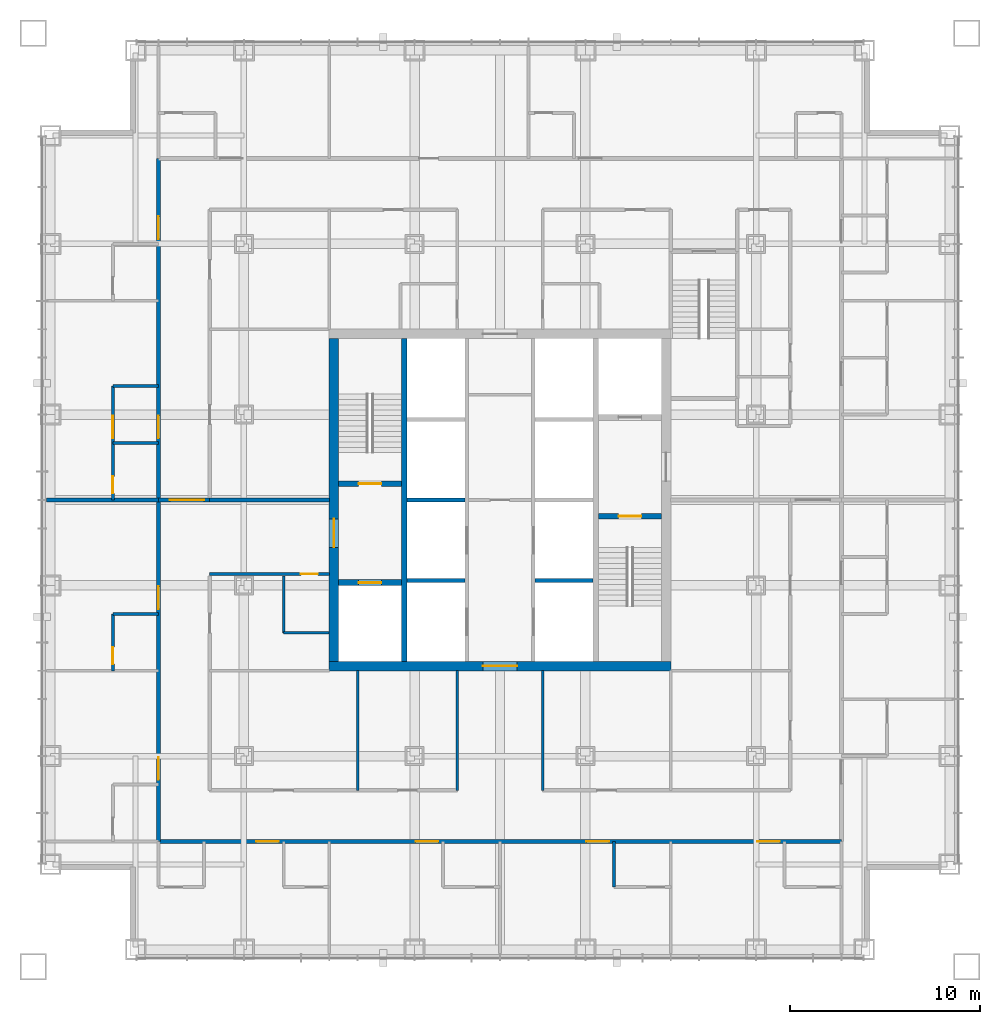
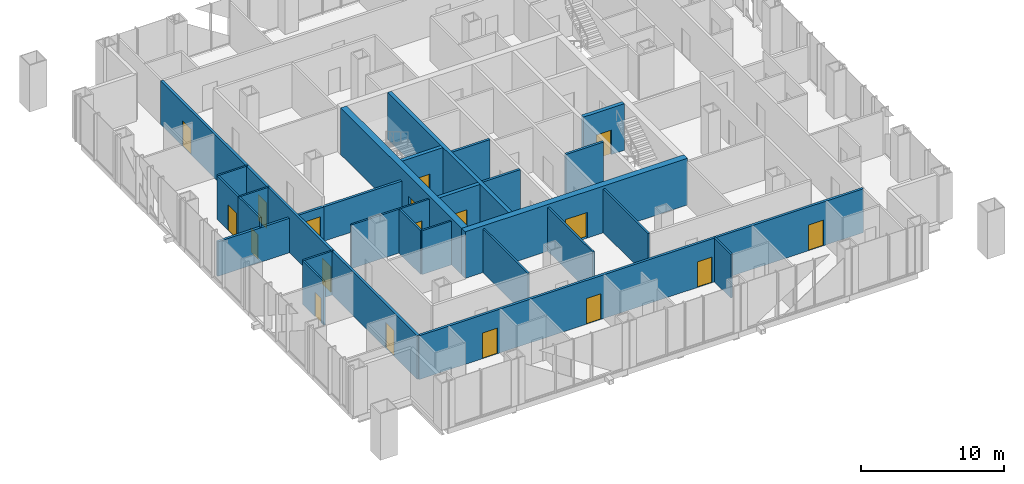
# One storey, part 9 of 13: 27 walls, 18 doors, 18 openings.
"""IFC4 building model written with IfcOpenShell, lengths in metres."""

from ifc_helpers import new_model, si_unit, direction, frame, frame_2d, origin, place, context, subcontext, project, spatial, rectangle, extrude, material, layer, layer_set, type_object, element, fill, save


model = new_model("IFC4")

# Units and contexts
model_context = context("Model", 3, precision=1e-05, world=origin(), true_north=direction((0.0, 1.0)))
body_context = subcontext(model_context, "Body", "Model", "MODEL_VIEW")
ifc_project = project(units=[si_unit("LENGTHUNIT", "METRE"), si_unit("AREAUNIT", "SQUARE_METRE"), si_unit("VOLUMEUNIT", "CUBIC_METRE"), si_unit("PLANEANGLEUNIT", "RADIAN"), si_unit("MASSUNIT", "GRAM", prefix="KILO")], contexts=[model_context])

# Site, building, storey
site_placement = place(None, origin())
site = spatial("IfcSite", under=ifc_project, at=site_placement, CompositionType="ELEMENT")
building_placement = place(site_placement, origin())
building = spatial("IfcBuilding", under=site, at=building_placement, Name="Malebo Sky Hospital", CompositionType="ELEMENT")
storey_placement = place(building_placement, frame((0.0, 0.0, 160.0)))
storey = spatial("IfcBuildingStorey", under=building, at=storey_placement, Name="L38", CompositionType="ELEMENT", Elevation=160.0)

# Walls
ifc_material_1 = material(Name="Concrete C80/95", Category="concrete")
ifc_layer_1 = layer(ifc_material_1, 0.199951171875)
ifc_layer_set_1 = layer_set([ifc_layer_1], Name="CORE INNER WALL 200")
wall_type_1 = type_object("IfcWallType", Name="CORE INNER WALL 200", PredefinedType="SHEAR", material=ifc_layer_set_1)
for number, where, z_axis, x_axis, name in (
    (1, (55.10009765625, 57.75, 0.0), (0.0, 0.0, 1.0), (1.0, 0.0, 0.0), "Core wall SW0 L38"),
    (2, (61.85009765625, 57.75, 0.0), (0.0, 0.0, 1.0), (1.0, 0.0, 0.0), "Core wall SE0 L38"),
    (3, (55.10009765625, 62.0, 0.0), (0.0, 0.0, 1.0), (1.0, 0.0, 0.0), "Core wall SW1 L38"),
):
    element("IfcWall", number, at=place(storey_placement, frame(where, z_axis=z_axis, x_axis=x_axis)), inside=storey, type_object=wall_type_1, Name=name, PredefinedType="SHEAR", context=body_context, shape_type="SweptSolid", body=[
        extrude(rectangle(XDim=3.0498046875, YDim=0.199951171875, at=frame_2d((1.52490234375, 0.0))), origin(), (0.0, 0.0, 1.0), 4.0),
    ])
ifc_layer_2 = layer(ifc_material_1, 0.300048828125)
ifc_layer_set_2 = layer_set([ifc_layer_2], Name="CORE INNER WALL 300")
wall_type_2 = type_object("IfcWallType", Name="CORE INNER WALL 300", PredefinedType="SHEAR", material=ifc_layer_set_2)
wall_1_placement = place(storey_placement, frame((54.949951171875, 53.5, 0.0), z_axis=(0.0, 0.0, 1.0), x_axis=(0.0, 1.0, 0.0)))
element("IfcWall", 4, at=wall_1_placement, inside=storey, type_object=wall_type_2, Name="Core wall XW L38", PredefinedType="SHEAR", context=body_context, shape_type="SweptSolid", body=[
    extrude(rectangle(XDim=17.0, YDim=0.300048828125, at=frame_2d((8.5, 0.0))), origin(), (0.0, 0.0, 1.0), 4.0),
])

# Wall, opening, door
wall_2_placement = place(storey_placement, frame((51.5, 62.85009765625, 0.0), z_axis=(0.0, 0.0, 1.0), x_axis=(1.0, 0.0, 0.0)))
wall_2 = element("IfcWall", 5, at=wall_2_placement, inside=storey, type_object=wall_type_2, Name="Core wall W1 L38", PredefinedType="SHEAR", context=body_context, shape_type="SweptSolid", body=[
    extrude(rectangle(XDim=3.300048828125, YDim=0.300048828125, at=frame_2d((1.64990234375, 0.0))), origin(), (0.0, 0.0, 1.0), 4.0),
])
opening_1_placement = place(wall_2_placement, frame((1.050048828125, 0.0, 0.0)))
opening_1 = element("IfcOpeningElement", 6, at=opening_1_placement, cuts=wall_2, Name="Opening D08", PredefinedType="OPENING", context=body_context, shape_type="SweptSolid", body=[
    extrude(rectangle(XDim=1.199951171875, YDim=2.10009765625, at=frame_2d((0.60009765625, 1.050048828125))), frame((0.0, 0.159912109375, 0.0), z_axis=(0.0, -1.0, 0.0), x_axis=(1.0, 0.0, 0.0)), (0.0, 0.0, 1.0), 0.320068359375),
])
ifc_material_2 = material(Name="Hardwood-faced door leaf in steel frame", Category="steel")
door_type_1 = type_object("IfcDoorType", Name="STAIR DOOR 1200", OperationType="SINGLE_SWING_LEFT", PredefinedType="DOOR", material=ifc_material_2)
door_1_placement = place(opening_1_placement, origin())
door_1 = element("IfcDoor", 7, at=door_1_placement, inside=storey, type_object=door_type_1, Name="Stair S1 door", OperationType="SINGLE_SWING_LEFT", OverallHeight=2.10009765625, OverallWidth=1.199951171875, PredefinedType="DOOR", context=body_context, shape_type="SweptSolid", body=[
    extrude(rectangle(XDim=1.199951171875, YDim=2.10009765625, at=frame_2d((0.60009765625, 1.050048828125))), frame((0.0, 0.02490234375, 0.0), z_axis=(0.0, -1.0, 0.0), x_axis=(1.0, 0.0, 0.0)), (0.0, 0.0, 1.0), 0.050048828125),
])
fill(opening_1, door_1)

wall_3_placement = place(storey_placement, frame((51.5, 57.64990234375, 0.0), z_axis=(0.0, 0.0, 1.0), x_axis=(1.0, 0.0, 0.0)))
wall_3 = element("IfcWall", 8, at=wall_3_placement, inside=storey, type_object=wall_type_2, Name="Core wall W2 L38", PredefinedType="SHEAR", context=body_context, shape_type="SweptSolid", body=[
    extrude(rectangle(XDim=3.300048828125, YDim=0.300048828125, at=frame_2d((1.64990234375, 0.0))), origin(), (0.0, 0.0, 1.0), 4.0),
])
opening_2_placement = place(wall_3_placement, frame((1.050048828125, 0.0, 0.0)))
opening_2 = element("IfcOpeningElement", 9, at=opening_2_placement, cuts=wall_3, Name="Opening LD2", PredefinedType="OPENING", context=body_context, shape_type="SweptSolid", body=[
    extrude(rectangle(XDim=1.199951171875, YDim=2.199951171875, at=frame_2d((0.60009765625, 1.10009765625))), frame((0.0, 0.159912109375, 0.0), z_axis=(0.0, -1.0, 0.0), x_axis=(1.0, 0.0, 0.0)), (0.0, 0.0, 1.0), 0.320068359375),
])
ifc_material_3 = material(Name="Stainless steel sliding landing door", Category="steel")
door_type_2 = type_object("IfcDoorType", Name="FIRE-FIGHTING LIFT LANDING DOOR 1200", OperationType="SLIDING_TO_LEFT", PredefinedType="DOOR", material=ifc_material_3)
door_2_placement = place(opening_2_placement, origin())
door_2 = element("IfcDoor", 10, at=door_2_placement, inside=storey, type_object=door_type_2, Name="Lift FL1 landing door", OperationType="SLIDING_TO_LEFT", OverallHeight=2.199951171875, OverallWidth=1.199951171875, PredefinedType="DOOR", context=body_context, shape_type="SweptSolid", body=[
    extrude(rectangle(XDim=1.199951171875, YDim=2.199951171875, at=frame_2d((0.60009765625, 1.10009765625))), frame((0.0, 0.02490234375, 0.0), z_axis=(0.0, -1.0, 0.0), x_axis=(1.0, 0.0, 0.0)), (0.0, 0.0, 1.0), 0.050048828125),
])
fill(opening_2, door_2)

wall_4_placement = place(storey_placement, frame((65.199951171875, 61.14990234375, 0.0), z_axis=(0.0, 0.0, 1.0), x_axis=(1.0, 0.0, 0.0)))
wall_4 = element("IfcWall", 11, at=wall_4_placement, inside=storey, type_object=wall_type_2, Name="Core wall E1 L38", PredefinedType="SHEAR", context=body_context, shape_type="SweptSolid", body=[
    extrude(rectangle(XDim=3.300048828125, YDim=0.300048828125, at=frame_2d((1.64990234375, 0.0))), origin(), (0.0, 0.0, 1.0), 4.0),
])
opening_3_placement = place(wall_4_placement, frame((1.050048828125, 0.0, 0.0)))
opening_3 = element("IfcOpeningElement", 12, at=opening_3_placement, cuts=wall_4, Name="Opening D08", PredefinedType="OPENING", context=body_context, shape_type="SweptSolid", body=[
    extrude(rectangle(XDim=1.199951171875, YDim=2.10009765625, at=frame_2d((0.60009765625, 1.050048828125))), frame((0.0, 0.159912109375, 0.0), z_axis=(0.0, -1.0, 0.0), x_axis=(1.0, 0.0, 0.0)), (0.0, 0.0, 1.0), 0.320068359375),
])
door_3_placement = place(opening_3_placement, origin())
door_3 = element("IfcDoor", 13, at=door_3_placement, inside=storey, type_object=door_type_1, Name="Stair S2 door", OperationType="SINGLE_SWING_LEFT", OverallHeight=2.10009765625, OverallWidth=1.199951171875, PredefinedType="DOOR", context=body_context, shape_type="SweptSolid", body=[
    extrude(rectangle(XDim=1.199951171875, YDim=2.10009765625, at=frame_2d((0.60009765625, 1.050048828125))), frame((0.0, 0.02490234375, 0.0), z_axis=(0.0, -1.0, 0.0), x_axis=(1.0, 0.0, 0.0)), (0.0, 0.0, 1.0), 0.050048828125),
])
fill(opening_3, door_3)

ifc_layer_3 = layer(ifc_material_1, 0.5)
ifc_layer_set_3 = layer_set([ifc_layer_3], Name="CORE WALL 500")
wall_type_3 = type_object("IfcWallType", Name="CORE WALL 500", PredefinedType="SHEAR", material=ifc_layer_set_3)
wall_5_placement = place(storey_placement, frame((51.0, 53.25, 0.0), z_axis=(0.0, 0.0, 1.0), x_axis=(1.0, 0.0, 0.0)))
wall_5 = element("IfcWall", 14, at=wall_5_placement, inside=storey, type_object=wall_type_3, Name="Core wall S L38", PredefinedType="SHEAR", context=body_context, shape_type="SweptSolid", body=[
    extrude(rectangle(XDim=18.0, YDim=0.5, at=frame_2d((9.0, 0.0))), origin(), (0.0, 0.0, 1.0), 4.0),
])
opening_4_placement = place(wall_5_placement, frame((8.10009765625, 0.0, 0.0)))
opening_4 = element("IfcOpeningElement", 15, at=opening_4_placement, cuts=wall_5, Name="Opening D06", PredefinedType="OPENING", context=body_context, shape_type="SweptSolid", body=[
    extrude(rectangle(XDim=1.800048828125, YDim=2.199951171875, at=frame_2d((0.89990234375, 1.10009765625))), frame((0.0, 0.260009765625, 0.0), z_axis=(0.0, -1.0, 0.0), x_axis=(1.0, 0.0, 0.0)), (0.0, 0.0, 1.0), 0.52001953125),
])
door_type_3 = type_object("IfcDoorType", Name="LOBBY DOOR PAIR 1800", OperationType="DOUBLE_DOOR_SINGLE_SWING", PredefinedType="DOOR", material=ifc_material_2)
door_4_placement = place(opening_4_placement, origin())
door_4 = element("IfcDoor", 16, at=door_4_placement, inside=storey, type_object=door_type_3, Name="Lift lobby door south", OperationType="DOUBLE_DOOR_SINGLE_SWING", OverallHeight=2.199951171875, OverallWidth=1.800048828125, PredefinedType="DOOR", context=body_context, shape_type="SweptSolid", body=[
    extrude(rectangle(XDim=1.800048828125, YDim=2.199951171875, at=frame_2d((0.89990234375, 1.10009765625))), frame((0.0, 0.02490234375, 0.0), z_axis=(0.0, -1.0, 0.0), x_axis=(1.0, 0.0, 0.0)), (0.0, 0.0, 1.0), 0.050048828125),
])
fill(opening_4, door_4)

wall_6_placement = place(storey_placement, frame((51.25, 53.5, 0.0), z_axis=(0.0, 0.0, 1.0), x_axis=(0.0, 1.0, 0.0)))
wall_6 = element("IfcWall", 17, at=wall_6_placement, inside=storey, type_object=wall_type_3, Name="Core wall W L38", PredefinedType="SHEAR", context=body_context, shape_type="SweptSolid", body=[
    extrude(rectangle(XDim=17.0, YDim=0.5, at=frame_2d((8.5, 0.0))), origin(), (0.0, 0.0, 1.0), 4.0),
])
opening_5_placement = place(wall_6_placement, frame((6.0, 0.0, 0.0)))
opening_5 = element("IfcOpeningElement", 18, at=opening_5_placement, cuts=wall_6, Name="Opening D07", PredefinedType="OPENING", context=body_context, shape_type="SweptSolid", body=[
    extrude(rectangle(XDim=1.5, YDim=2.199951171875, at=frame_2d((0.75, 1.10009765625))), frame((0.0, 0.260009765625, 0.0), z_axis=(0.0, -1.0, 0.0), x_axis=(1.0, 0.0, 0.0)), (0.0, 0.0, 1.0), 0.52001953125),
])
door_type_4 = type_object("IfcDoorType", Name="FIRE-FIGHTING LOBBY DOOR PAIR 1500", OperationType="DOUBLE_DOOR_SINGLE_SWING", PredefinedType="DOOR", material=ifc_material_2)
door_5_placement = place(opening_5_placement, origin())
door_5 = element("IfcDoor", 19, at=door_5_placement, inside=storey, type_object=door_type_4, Name="Fire-fighting lobby door west", OperationType="DOUBLE_DOOR_SINGLE_SWING", OverallHeight=2.199951171875, OverallWidth=1.5, PredefinedType="DOOR", context=body_context, shape_type="SweptSolid", body=[
    extrude(rectangle(XDim=1.5, YDim=2.199951171875, at=frame_2d((0.75, 1.10009765625))), frame((0.0, 0.02490234375, 0.0), z_axis=(0.0, -1.0, 0.0), x_axis=(1.0, 0.0, 0.0)), (0.0, 0.0, 1.0), 0.050048828125),
])
fill(opening_5, door_5)

# Wall, openings, doors
ifc_material_4 = material(Name="Gypsum board on steel studs", Category="steel")
ifc_layer_4 = layer(ifc_material_4, 0.199951171875)
ifc_layer_set_4 = layer_set([ifc_layer_4], Name="CORRIDOR WALL 200")
wall_type_4 = type_object("IfcWallType", Name="CORRIDOR WALL 200", PredefinedType="PARTITIONING", material=ifc_layer_set_4)
wall_7_placement = place(storey_placement, frame((42.0, 44.0, 0.0), z_axis=(0.0, 0.0, 1.0), x_axis=(0.0, 1.0, 0.0)))
wall_7 = element("IfcWall", 20, at=wall_7_placement, inside=storey, type_object=wall_type_4, Name="Corridor Wall 200 WCO", PredefinedType="PARTITIONING", context=body_context, shape_type="SweptSolid", body=[
    extrude(rectangle(XDim=36.0, YDim=0.199951171875, at=frame_2d((18.0, 0.0))), origin(), (0.0, 0.0, 1.0), 3.75),
])
opening_6_placement = place(wall_7_placement, frame((3.25, 0.0, 0.0)))
opening_6 = element("IfcOpeningElement", 21, at=opening_6_placement, cuts=wall_7, Name="Opening D01", PredefinedType="OPENING", context=body_context, shape_type="SweptSolid", body=[
    extrude(rectangle(XDim=1.199951171875, YDim=2.199951171875, at=frame_2d((0.60009765625, 1.10009765625))), frame((0.0, 0.10986328125, 0.0), z_axis=(0.0, -1.0, 0.0), x_axis=(1.0, 0.0, 0.0)), (0.0, 0.0, 1.0), 0.219970703125),
])
opening_7_placement = place(wall_7_placement, frame((12.25, 0.0, 0.0)))
opening_7 = element("IfcOpeningElement", 22, at=opening_7_placement, cuts=wall_7, Name="Opening D01", PredefinedType="OPENING", context=body_context, shape_type="SweptSolid", body=[
    extrude(rectangle(XDim=1.199951171875, YDim=2.199951171875, at=frame_2d((0.60009765625, 1.10009765625))), frame((0.0, 0.10986328125, 0.0), z_axis=(0.0, -1.0, 0.0), x_axis=(1.0, 0.0, 0.0)), (0.0, 0.0, 1.0), 0.219970703125),
])
opening_8_placement = place(wall_7_placement, frame((21.25, 0.0, 0.0)))
opening_8 = element("IfcOpeningElement", 23, at=opening_8_placement, cuts=wall_7, Name="Opening D18", PredefinedType="OPENING", context=body_context, shape_type="SweptSolid", body=[
    extrude(rectangle(XDim=1.199951171875, YDim=2.199951171875, at=frame_2d((0.60009765625, 1.10009765625))), frame((0.0, 0.10986328125, 0.0), z_axis=(0.0, -1.0, 0.0), x_axis=(1.0, 0.0, 0.0)), (0.0, 0.0, 1.0), 0.219970703125),
])
opening_9_placement = place(wall_7_placement, frame((31.75, 0.0, 0.0)))
opening_9 = element("IfcOpeningElement", 24, at=opening_9_placement, cuts=wall_7, Name="Opening D01", PredefinedType="OPENING", context=body_context, shape_type="SweptSolid", body=[
    extrude(rectangle(XDim=1.199951171875, YDim=2.199951171875, at=frame_2d((0.60009765625, 1.10009765625))), frame((0.0, 0.10986328125, 0.0), z_axis=(0.0, -1.0, 0.0), x_axis=(1.0, 0.0, 0.0)), (0.0, 0.0, 1.0), 0.219970703125),
])
door_type_5 = type_object("IfcDoorType", Name="ANTEROOM DOOR 1200", OperationType="SINGLE_SWING_LEFT", PredefinedType="DOOR", material=ifc_material_2)
door_6_placement = place(opening_8_placement, origin())
door_6 = element("IfcDoor", 25, at=door_6_placement, inside=storey, type_object=door_type_5, Name="Anteroom door", OperationType="SINGLE_SWING_LEFT", OverallHeight=2.199951171875, OverallWidth=1.199951171875, PredefinedType="DOOR", context=body_context, shape_type="SweptSolid", body=[
    extrude(rectangle(XDim=1.199951171875, YDim=2.199951171875, at=frame_2d((0.60009765625, 1.10009765625))), frame((0.0, 0.02490234375, 0.0), z_axis=(0.0, -1.0, 0.0), x_axis=(1.0, 0.0, 0.0)), (0.0, 0.0, 1.0), 0.050048828125),
])
fill(opening_8, door_6)
door_type_6 = type_object("IfcDoorType", Name="BED DOOR 1200", OperationType="SINGLE_SWING_LEFT", PredefinedType="DOOR", material=ifc_material_2)
door_7_placement = place(opening_6_placement, origin())
door_7 = element("IfcDoor", 26, at=door_7_placement, inside=storey, type_object=door_type_6, Name="Two-bed room door", OperationType="SINGLE_SWING_LEFT", OverallHeight=2.199951171875, OverallWidth=1.199951171875, PredefinedType="DOOR", context=body_context, shape_type="SweptSolid", body=[
    extrude(rectangle(XDim=1.199951171875, YDim=2.199951171875, at=frame_2d((0.60009765625, 1.10009765625))), frame((0.0, 0.02490234375, 0.0), z_axis=(0.0, -1.0, 0.0), x_axis=(1.0, 0.0, 0.0)), (0.0, 0.0, 1.0), 0.050048828125),
])
fill(opening_6, door_7)
door_8_placement = place(opening_7_placement, origin())
door_8 = element("IfcDoor", 27, at=door_8_placement, inside=storey, type_object=door_type_6, Name="Two-bed room door", OperationType="SINGLE_SWING_LEFT", OverallHeight=2.199951171875, OverallWidth=1.199951171875, PredefinedType="DOOR", context=body_context, shape_type="SweptSolid", body=[
    extrude(rectangle(XDim=1.199951171875, YDim=2.199951171875, at=frame_2d((0.60009765625, 1.10009765625))), frame((0.0, 0.02490234375, 0.0), z_axis=(0.0, -1.0, 0.0), x_axis=(1.0, 0.0, 0.0)), (0.0, 0.0, 1.0), 0.050048828125),
])
fill(opening_7, door_8)
door_9_placement = place(opening_9_placement, origin())
door_9 = element("IfcDoor", 28, at=door_9_placement, inside=storey, type_object=door_type_6, Name="Two-bed room door", OperationType="SINGLE_SWING_LEFT", OverallHeight=2.199951171875, OverallWidth=1.199951171875, PredefinedType="DOOR", context=body_context, shape_type="SweptSolid", body=[
    extrude(rectangle(XDim=1.199951171875, YDim=2.199951171875, at=frame_2d((0.60009765625, 1.10009765625))), frame((0.0, 0.02490234375, 0.0), z_axis=(0.0, -1.0, 0.0), x_axis=(1.0, 0.0, 0.0)), (0.0, 0.0, 1.0), 0.050048828125),
])
fill(opening_9, door_9)

wall_8_placement = place(storey_placement, frame((78.0, 44.0, 0.0), z_axis=(0.0, 0.0, 1.0), x_axis=(-1.0, 0.0, 0.0)))
wall_8 = element("IfcWall", 29, at=wall_8_placement, inside=storey, type_object=wall_type_4, Name="Corridor Wall 200 SCO", PredefinedType="PARTITIONING", context=body_context, shape_type="SweptSolid", body=[
    extrude(rectangle(XDim=36.0, YDim=0.199951171875, at=frame_2d((18.0, 0.0))), origin(), (0.0, 0.0, 1.0), 3.75),
])
opening_10_placement = place(wall_8_placement, frame((3.25, 0.0, 0.0)))
opening_10 = element("IfcOpeningElement", 30, at=opening_10_placement, cuts=wall_8, Name="Opening D01", PredefinedType="OPENING", context=body_context, shape_type="SweptSolid", body=[
    extrude(rectangle(XDim=1.199951171875, YDim=2.199951171875, at=frame_2d((0.60009765625, 1.10009765625))), frame((0.0, 0.10986328125, 0.0), z_axis=(0.0, -1.0, 0.0), x_axis=(1.0, 0.0, 0.0)), (0.0, 0.0, 1.0), 0.219970703125),
])
opening_11_placement = place(wall_8_placement, frame((12.25, 0.0, 0.0)))
opening_11 = element("IfcOpeningElement", 31, at=opening_11_placement, cuts=wall_8, Name="Opening D01", PredefinedType="OPENING", context=body_context, shape_type="SweptSolid", body=[
    extrude(rectangle(XDim=1.199951171875, YDim=2.199951171875, at=frame_2d((0.60009765625, 1.10009765625))), frame((0.0, 0.10986328125, 0.0), z_axis=(0.0, -1.0, 0.0), x_axis=(1.0, 0.0, 0.0)), (0.0, 0.0, 1.0), 0.219970703125),
])
opening_12_placement = place(wall_8_placement, frame((21.25, 0.0, 0.0)))
opening_12 = element("IfcOpeningElement", 32, at=opening_12_placement, cuts=wall_8, Name="Opening D01", PredefinedType="OPENING", context=body_context, shape_type="SweptSolid", body=[
    extrude(rectangle(XDim=1.199951171875, YDim=2.199951171875, at=frame_2d((0.60009765625, 1.10009765625))), frame((0.0, 0.10986328125, 0.0), z_axis=(0.0, -1.0, 0.0), x_axis=(1.0, 0.0, 0.0)), (0.0, 0.0, 1.0), 0.219970703125),
])
opening_13_placement = place(wall_8_placement, frame((29.64990234375, 0.0, 0.0)))
opening_13 = element("IfcOpeningElement", 33, at=opening_13_placement, cuts=wall_8, Name="Opening D01", PredefinedType="OPENING", context=body_context, shape_type="SweptSolid", body=[
    extrude(rectangle(XDim=1.199951171875, YDim=2.199951171875, at=frame_2d((0.60009765625, 1.10009765625))), frame((0.0, 0.10986328125, 0.0), z_axis=(0.0, -1.0, 0.0), x_axis=(1.0, 0.0, 0.0)), (0.0, 0.0, 1.0), 0.219970703125),
])
door_10_placement = place(opening_10_placement, origin())
door_10 = element("IfcDoor", 34, at=door_10_placement, inside=storey, type_object=door_type_6, Name="Two-bed room door", OperationType="SINGLE_SWING_LEFT", OverallHeight=2.199951171875, OverallWidth=1.199951171875, PredefinedType="DOOR", context=body_context, shape_type="SweptSolid", body=[
    extrude(rectangle(XDim=1.199951171875, YDim=2.199951171875, at=frame_2d((0.60009765625, 1.10009765625))), frame((0.0, 0.02490234375, 0.0), z_axis=(0.0, -1.0, 0.0), x_axis=(1.0, 0.0, 0.0)), (0.0, 0.0, 1.0), 0.050048828125),
])
fill(opening_10, door_10)
door_11_placement = place(opening_11_placement, origin())
door_11 = element("IfcDoor", 35, at=door_11_placement, inside=storey, type_object=door_type_6, Name="Two-bed room door", OperationType="SINGLE_SWING_LEFT", OverallHeight=2.199951171875, OverallWidth=1.199951171875, PredefinedType="DOOR", context=body_context, shape_type="SweptSolid", body=[
    extrude(rectangle(XDim=1.199951171875, YDim=2.199951171875, at=frame_2d((0.60009765625, 1.10009765625))), frame((0.0, 0.02490234375, 0.0), z_axis=(0.0, -1.0, 0.0), x_axis=(1.0, 0.0, 0.0)), (0.0, 0.0, 1.0), 0.050048828125),
])
fill(opening_11, door_11)
door_12_placement = place(opening_12_placement, origin())
door_12 = element("IfcDoor", 36, at=door_12_placement, inside=storey, type_object=door_type_6, Name="Two-bed room door", OperationType="SINGLE_SWING_LEFT", OverallHeight=2.199951171875, OverallWidth=1.199951171875, PredefinedType="DOOR", context=body_context, shape_type="SweptSolid", body=[
    extrude(rectangle(XDim=1.199951171875, YDim=2.199951171875, at=frame_2d((0.60009765625, 1.10009765625))), frame((0.0, 0.02490234375, 0.0), z_axis=(0.0, -1.0, 0.0), x_axis=(1.0, 0.0, 0.0)), (0.0, 0.0, 1.0), 0.050048828125),
])
fill(opening_12, door_12)
door_13_placement = place(opening_13_placement, origin())
door_13 = element("IfcDoor", 37, at=door_13_placement, inside=storey, type_object=door_type_6, Name="Four-bed bay door", OperationType="SINGLE_SWING_LEFT", OverallHeight=2.199951171875, OverallWidth=1.199951171875, PredefinedType="DOOR", context=body_context, shape_type="SweptSolid", body=[
    extrude(rectangle(XDim=1.199951171875, YDim=2.199951171875, at=frame_2d((0.60009765625, 1.10009765625))), frame((0.0, 0.02490234375, 0.0), z_axis=(0.0, -1.0, 0.0), x_axis=(1.0, 0.0, 0.0)), (0.0, 0.0, 1.0), 0.050048828125),
])
fill(opening_13, door_13)

# Wall, opening, door
ifc_layer_5 = layer(ifc_material_4, 0.14990234375)
ifc_layer_set_5 = layer_set([ifc_layer_5], Name="PARTITION 150")
wall_type_5 = type_object("IfcWallType", Name="PARTITION 150", PredefinedType="PARTITIONING", material=ifc_layer_set_5)
wall_9_placement = place(storey_placement, frame((39.60009765625, 53.0, 0.0), z_axis=(0.0, 0.0, 1.0), x_axis=(0.0, 1.0, 0.0)))
wall_9 = element("IfcWall", 38, at=wall_9_placement, inside=storey, type_object=wall_type_5, Name="Partition 150 WE1F", PredefinedType="PARTITIONING", context=body_context, shape_type="SweptSolid", body=[
    extrude(rectangle(XDim=3.0, YDim=0.14990234375, at=frame_2d((1.5, 0.0))), origin(), (0.0, 0.0, 1.0), 3.75),
])
opening_14_placement = place(wall_9_placement, frame((0.35009765625, 0.0, 0.0)))
opening_14 = element("IfcOpeningElement", 39, at=opening_14_placement, cuts=wall_9, Name="Opening D02", PredefinedType="OPENING", context=body_context, shape_type="SweptSolid", body=[
    extrude(rectangle(XDim=0.89990234375, YDim=2.10009765625, at=frame_2d((0.449951171875, 1.050048828125))), frame((0.0, 0.0849609375, 0.0), z_axis=(0.0, -1.0, 0.0), x_axis=(1.0, 0.0, 0.0)), (0.0, 0.0, 1.0), 0.169921875),
])
door_type_7 = type_object("IfcDoorType", Name="EN-SUITE DOOR 900", OperationType="SINGLE_SWING_LEFT", PredefinedType="DOOR", material=ifc_material_2)
door_14_placement = place(opening_14_placement, origin())
door_14 = element("IfcDoor", 40, at=door_14_placement, inside=storey, type_object=door_type_7, Name="En-suite door", OperationType="SINGLE_SWING_LEFT", OverallHeight=2.10009765625, OverallWidth=0.89990234375, PredefinedType="DOOR", context=body_context, shape_type="SweptSolid", body=[
    extrude(rectangle(XDim=0.89990234375, YDim=2.10009765625, at=frame_2d((0.449951171875, 1.050048828125))), frame((0.0, 0.02490234375, 0.0), z_axis=(0.0, -1.0, 0.0), x_axis=(1.0, 0.0, 0.0)), (0.0, 0.0, 1.0), 0.050048828125),
])
fill(opening_14, door_14)

# Wall
wall_10_placement = place(storey_placement, frame((42.0, 56.0, 0.0), z_axis=(0.0, 0.0, 1.0), x_axis=(-1.0, 0.0, 0.0)))
element("IfcWall", 41, at=wall_10_placement, inside=storey, type_object=wall_type_5, Name="Partition 150 WE1S", PredefinedType="PARTITIONING", context=body_context, shape_type="SweptSolid", body=[
    extrude(rectangle(XDim=2.39990234375, YDim=0.14990234375, at=frame_2d((1.199951171875, 0.0))), origin(), (0.0, 0.0, 1.0), 3.75),
])

# Wall, opening, door
wall_11_placement = place(storey_placement, frame((39.60009765625, 62.0, 0.0), z_axis=(0.0, 0.0, 1.0), x_axis=(0.0, 1.0, 0.0)))
wall_11 = element("IfcWall", 42, at=wall_11_placement, inside=storey, type_object=wall_type_5, Name="Partition 150 WE2F", PredefinedType="PARTITIONING", context=body_context, shape_type="SweptSolid", body=[
    extrude(rectangle(XDim=3.0, YDim=0.14990234375, at=frame_2d((1.5, 0.0))), origin(), (0.0, 0.0, 1.0), 3.75),
])
opening_15_placement = place(wall_11_placement, frame((0.35009765625, 0.0, 0.0)))
opening_15 = element("IfcOpeningElement", 43, at=opening_15_placement, cuts=wall_11, Name="Opening D02", PredefinedType="OPENING", context=body_context, shape_type="SweptSolid", body=[
    extrude(rectangle(XDim=0.89990234375, YDim=2.10009765625, at=frame_2d((0.449951171875, 1.050048828125))), frame((0.0, 0.0849609375, 0.0), z_axis=(0.0, -1.0, 0.0), x_axis=(1.0, 0.0, 0.0)), (0.0, 0.0, 1.0), 0.169921875),
])
door_15_placement = place(opening_15_placement, origin())
door_15 = element("IfcDoor", 44, at=door_15_placement, inside=storey, type_object=door_type_7, Name="En-suite door", OperationType="SINGLE_SWING_LEFT", OverallHeight=2.10009765625, OverallWidth=0.89990234375, PredefinedType="DOOR", context=body_context, shape_type="SweptSolid", body=[
    extrude(rectangle(XDim=0.89990234375, YDim=2.10009765625, at=frame_2d((0.449951171875, 1.050048828125))), frame((0.0, 0.02490234375, 0.0), z_axis=(0.0, -1.0, 0.0), x_axis=(1.0, 0.0, 0.0)), (0.0, 0.0, 1.0), 0.050048828125),
])
fill(opening_15, door_15)

# Wall
wall_12_placement = place(storey_placement, frame((42.0, 65.0, 0.0), z_axis=(0.0, 0.0, 1.0), x_axis=(-1.0, 0.0, 0.0)))
element("IfcWall", 45, at=wall_12_placement, inside=storey, type_object=wall_type_5, Name="Partition 150 WE2S", PredefinedType="PARTITIONING", context=body_context, shape_type="SweptSolid", body=[
    extrude(rectangle(XDim=2.39990234375, YDim=0.14990234375, at=frame_2d((1.199951171875, 0.0))), origin(), (0.0, 0.0, 1.0), 3.75),
])

# Wall, opening, door
wall_13_placement = place(storey_placement, frame((51.0, 58.10009765625, 0.0), z_axis=(0.0, 0.0, 1.0), x_axis=(-1.0, 0.0, 0.0)))
wall_13 = element("IfcWall", 46, at=wall_13_placement, inside=storey, type_object=wall_type_5, Name="Partition 150 WSPA", PredefinedType="PARTITIONING", context=body_context, shape_type="SweptSolid", body=[
    extrude(rectangle(XDim=6.300048828125, YDim=0.14990234375, at=frame_2d((3.14990234375, 0.0))), origin(), (0.0, 0.0, 1.0), 3.75),
])
opening_16_placement = place(wall_13_placement, frame((0.60009765625, 0.0, 0.0)))
opening_16 = element("IfcOpeningElement", 47, at=opening_16_placement, cuts=wall_13, Name="Opening D04", PredefinedType="OPENING", context=body_context, shape_type="SweptSolid", body=[
    extrude(rectangle(XDim=0.89990234375, YDim=2.10009765625, at=frame_2d((0.449951171875, 1.050048828125))), frame((0.0, 0.0849609375, 0.0), z_axis=(0.0, -1.0, 0.0), x_axis=(1.0, 0.0, 0.0)), (0.0, 0.0, 1.0), 0.169921875),
])
door_type_8 = type_object("IfcDoorType", Name="ROOM DOOR 900", OperationType="SINGLE_SWING_LEFT", PredefinedType="DOOR", material=ifc_material_2)
door_16_placement = place(opening_16_placement, origin())
door_16 = element("IfcDoor", 48, at=door_16_placement, inside=storey, type_object=door_type_8, Name="Cleaner's room door", OperationType="SINGLE_SWING_LEFT", OverallHeight=2.10009765625, OverallWidth=0.89990234375, PredefinedType="DOOR", context=body_context, shape_type="SweptSolid", body=[
    extrude(rectangle(XDim=0.89990234375, YDim=2.10009765625, at=frame_2d((0.449951171875, 1.050048828125))), frame((0.0, 0.02490234375, 0.0), z_axis=(0.0, -1.0, 0.0), x_axis=(1.0, 0.0, 0.0)), (0.0, 0.0, 1.0), 0.050048828125),
])
fill(opening_16, door_16)

# Walls
wall_14_placement = place(storey_placement, frame((48.60009765625, 55.0, 0.0), z_axis=(0.0, 0.0, 1.0), x_axis=(0.0, 1.0, 0.0)))
element("IfcWall", 49, at=wall_14_placement, inside=storey, type_object=wall_type_5, Name="Partition 150 WSX0", PredefinedType="PARTITIONING", context=body_context, shape_type="SweptSolid", body=[
    extrude(rectangle(XDim=3.0, YDim=0.14990234375, at=frame_2d((1.5, 0.0))), origin(), (0.0, 0.0, 1.0), 3.75),
])
for number, where, z_axis, x_axis, name in (
    (50, (51.0, 55.0, 0.0), (0.0, 0.0, 1.0), (-1.0, 0.0, 0.0), "Partition 150 WSY0"),
    (51, (66.0, 44.0, 0.0), (0.0, 0.0, 1.0), (0.0, -1.0, 0.0), "Partition 150 SE1S"),
):
    element("IfcWall", number, at=place(storey_placement, frame(where, z_axis=z_axis, x_axis=x_axis)), inside=storey, type_object=wall_type_5, Name=name, PredefinedType="PARTITIONING", context=body_context, shape_type="SweptSolid", body=[
        extrude(rectangle(XDim=2.39990234375, YDim=0.14990234375, at=frame_2d((1.199951171875, 0.0))), origin(), (0.0, 0.0, 1.0), 3.75),
    ])
for number, where, z_axis, x_axis, name in (
    (52, (62.25, 53.0, 0.0), (0.0, 0.0, 1.0), (0.0, -1.0, 0.0), "Partition 150 SSPA"),
    (53, (57.75, 53.0, 0.0), (0.0, 0.0, 1.0), (0.0, -1.0, 0.0), "Partition 150 SSPB"),
    (54, (52.5, 53.0, 0.0), (0.0, 0.0, 1.0), (0.0, -1.0, 0.0), "Partition 150 SSP+7.5"),
):
    element("IfcWall", number, at=place(storey_placement, frame(where, z_axis=z_axis, x_axis=x_axis)), inside=storey, type_object=wall_type_5, Name=name, PredefinedType="PARTITIONING", context=body_context, shape_type="SweptSolid", body=[
        extrude(rectangle(XDim=6.300048828125, YDim=0.14990234375, at=frame_2d((3.14990234375, 0.0))), origin(), (0.0, 0.0, 1.0), 3.75),
    ])

# Wall, opening, door
ifc_material_5 = material(Name="Sealed gypsum board on steel studs, taped to the slab", Category="steel")
ifc_layer_6 = layer(ifc_material_5, 0.14990234375)
ifc_layer_set_6 = layer_set([ifc_layer_6], Name="SEALED ISOLATION PARTITION 150")
wall_type_6 = type_object("IfcWallType", Name="SEALED ISOLATION PARTITION 150", PredefinedType="PARTITIONING", material=ifc_layer_set_6)
wall_15_placement = place(storey_placement, frame((39.60009765625, 65.0, 0.0), z_axis=(0.0, 0.0, 1.0), x_axis=(0.0, 1.0, 0.0)))
wall_15 = element("IfcWall", 55, at=wall_15_placement, inside=storey, type_object=wall_type_6, Name="Sealed Isolation Partition 150 WA2F", PredefinedType="PARTITIONING", context=body_context, shape_type="SweptSolid", body=[
    extrude(rectangle(XDim=3.0, YDim=0.14990234375, at=frame_2d((1.5, 0.0))), origin(), (0.0, 0.0, 1.0), 3.75),
])
opening_17_placement = place(wall_15_placement, frame((0.25, 0.0, 0.0)))
opening_17 = element("IfcOpeningElement", 56, at=opening_17_placement, cuts=wall_15, Name="Opening D19", PredefinedType="OPENING", context=body_context, shape_type="SweptSolid", body=[
    extrude(rectangle(XDim=1.199951171875, YDim=2.199951171875, at=frame_2d((0.60009765625, 1.10009765625))), frame((0.0, 0.0849609375, 0.0), z_axis=(0.0, -1.0, 0.0), x_axis=(1.0, 0.0, 0.0)), (0.0, 0.0, 1.0), 0.169921875),
])
ifc_material_6 = material(Name="Hardwood-faced door leaf with perimeter seals in steel frame", Category="steel")
door_type_9 = type_object("IfcDoorType", Name="SEALED ISOLATION ROOM DOOR 1200", OperationType="SINGLE_SWING_LEFT", PredefinedType="DOOR", material=ifc_material_6)
door_17_placement = place(opening_17_placement, origin())
door_17 = element("IfcDoor", 57, at=door_17_placement, inside=storey, type_object=door_type_9, Name="Isolation room door", OperationType="SINGLE_SWING_LEFT", OverallHeight=2.199951171875, OverallWidth=1.199951171875, PredefinedType="DOOR", context=body_context, shape_type="SweptSolid", body=[
    extrude(rectangle(XDim=1.199951171875, YDim=2.199951171875, at=frame_2d((0.60009765625, 1.10009765625))), frame((0.0, 0.02490234375, 0.0), z_axis=(0.0, -1.0, 0.0), x_axis=(1.0, 0.0, 0.0)), (0.0, 0.0, 1.0), 0.050048828125),
])
fill(opening_17, door_17)

# Walls
wall_16_placement = place(storey_placement, frame((42.0, 68.0, 0.0), z_axis=(0.0, 0.0, 1.0), x_axis=(-1.0, 0.0, 0.0)))
element("IfcWall", 58, at=wall_16_placement, inside=storey, type_object=wall_type_6, Name="Sealed Isolation Partition 150 WA2S", PredefinedType="PARTITIONING", context=body_context, shape_type="SweptSolid", body=[
    extrude(rectangle(XDim=2.39990234375, YDim=0.14990234375, at=frame_2d((1.199951171875, 0.0))), origin(), (0.0, 0.0, 1.0), 3.75),
])
ifc_material_7 = material(Name="Concrete blockwork", Category="masonry")
ifc_layer_7 = layer(ifc_material_7, 0.199951171875)
ifc_layer_set_7 = layer_set([ifc_layer_7], Name="SMOKE BARRIER WALL 200")
wall_type_7 = type_object("IfcWallType", Name="SMOKE BARRIER WALL 200", PredefinedType="SOLIDWALL", material=ifc_layer_set_7)
wall_17_placement = place(storey_placement, frame((42.0, 62.0, 0.0), z_axis=(0.0, 0.0, 1.0), x_axis=(-1.0, 0.0, 0.0)))
element("IfcWall", 59, at=wall_17_placement, inside=storey, type_object=wall_type_7, Name="Smoke Barrier Wall 200 WP+0.0", PredefinedType="SOLIDWALL", context=body_context, shape_type="SweptSolid", body=[
    extrude(rectangle(XDim=5.909912109375, YDim=0.199951171875, at=frame_2d((2.955078125, 0.0))), origin(), (0.0, 0.0, 1.0), 2.949951171875),
])
wall_18_placement = place(storey_placement, frame((51.0, 62.0, 0.0), z_axis=(0.0, 0.0, 1.0), x_axis=(-1.0, 0.0, 0.0)))
element("IfcWall", 60, at=wall_18_placement, inside=storey, type_object=wall_type_7, Name="Smoke Barrier Wall 200 WSPB", PredefinedType="SOLIDWALL", context=body_context, shape_type="SweptSolid", body=[
    extrude(rectangle(XDim=6.300048828125, YDim=0.199951171875, at=frame_2d((3.14990234375, 0.0))), origin(), (0.0, 0.0, 1.0), 2.949951171875),
])

# Wall, opening, door
wall_19_placement = place(storey_placement, frame((44.699951171875, 62.0, 0.0), z_axis=(0.0, 0.0, 1.0), x_axis=(-1.0, 0.0, 0.0)))
wall_19 = element("IfcWall", 61, at=wall_19_placement, inside=storey, type_object=wall_type_7, Name="Smoke Barrier Wall 200 WSB", PredefinedType="SOLIDWALL", context=body_context, shape_type="SweptSolid", body=[
    extrude(rectangle(XDim=2.699951171875, YDim=0.199951171875, at=frame_2d((1.35009765625, 0.0))), origin(), (0.0, 0.0, 1.0), 2.949951171875),
])
opening_18_placement = place(wall_19_placement, frame((0.300048828125, 0.0, 0.0)))
opening_18 = element("IfcOpeningElement", 62, at=opening_18_placement, cuts=wall_19, Name="Opening D05", PredefinedType="OPENING", context=body_context, shape_type="SweptSolid", body=[
    extrude(rectangle(XDim=1.800048828125, YDim=2.199951171875, at=frame_2d((0.89990234375, 1.10009765625))), frame((0.0, 0.10986328125, 0.0), z_axis=(0.0, -1.0, 0.0), x_axis=(1.0, 0.0, 0.0)), (0.0, 0.0, 1.0), 0.219970703125),
])
door_type_10 = type_object("IfcDoorType", Name="SMOKE DOOR PAIR 1800", OperationType="DOUBLE_DOOR_DOUBLE_SWING", PredefinedType="DOOR", material=ifc_material_2)
door_18_placement = place(opening_18_placement, origin())
door_18 = element("IfcDoor", 63, at=door_18_placement, inside=storey, type_object=door_type_10, Name="Smoke compartment door pair", OperationType="DOUBLE_DOOR_DOUBLE_SWING", OverallHeight=2.199951171875, OverallWidth=1.800048828125, PredefinedType="DOOR", context=body_context, shape_type="SweptSolid", body=[
    extrude(rectangle(XDim=1.800048828125, YDim=2.199951171875, at=frame_2d((0.89990234375, 1.10009765625))), frame((0.0, 0.02490234375, 0.0), z_axis=(0.0, -1.0, 0.0), x_axis=(1.0, 0.0, 0.0)), (0.0, 0.0, 1.0), 0.050048828125),
])
fill(opening_18, door_18)

save(model, "model.ifc")
